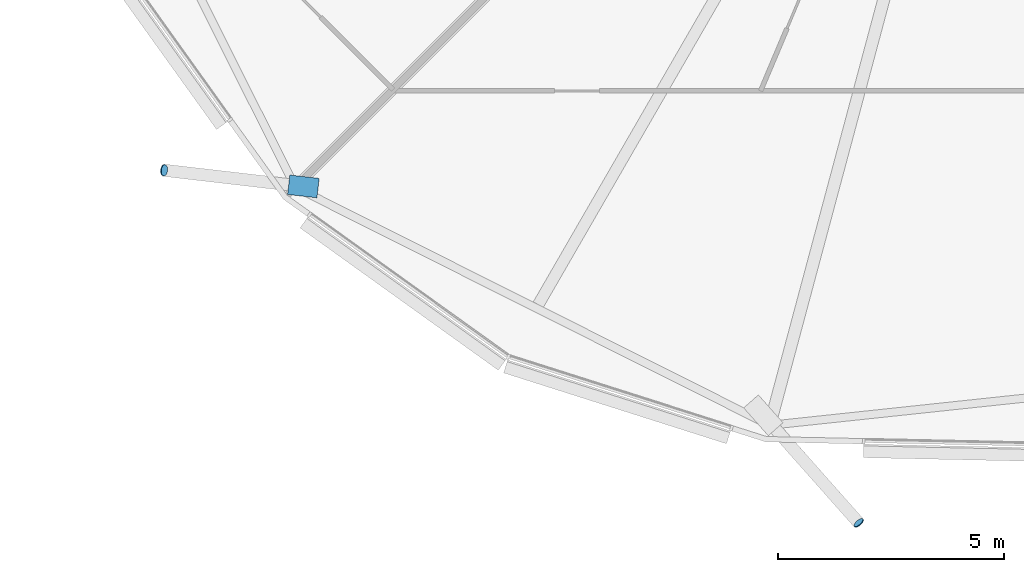
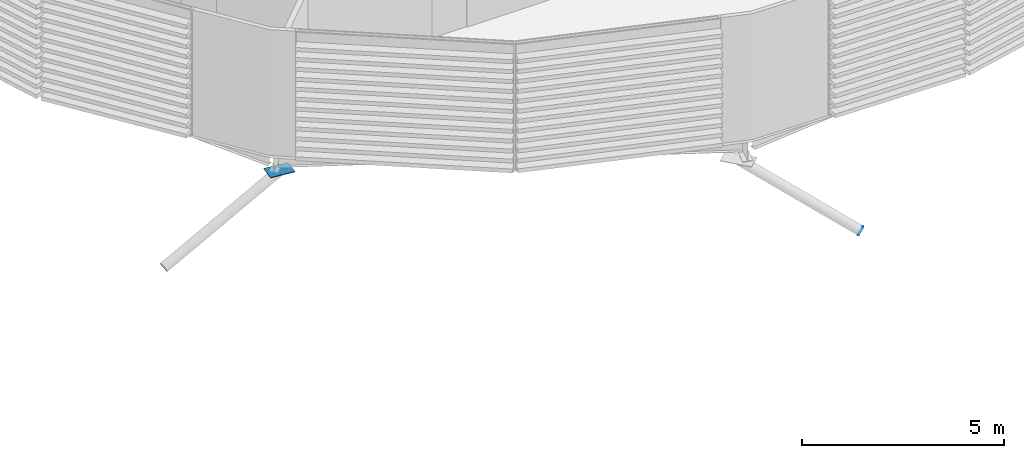
# One storey, part 31 of 39: 3 discrete accessories.
"""IFC4 building model written with IfcOpenShell, lengths in metres."""

from ifc_helpers import new_model, si_unit, direction, frame, origin, origin_2d, place, context, subcontext, project, spatial, polyline, rectangle, circle, outline, extrude, material, material_profile, profile_set, type_object, element, save


model = new_model("IFC4")

# Units and contexts
model_context = context("Model", 3, precision=1e-05, world=origin(), true_north=direction((0.0, 1.0)))
body_context = subcontext(model_context, "Body", "Model", "MODEL_VIEW")
ifc_project = project(units=[si_unit("LENGTHUNIT", "METRE"), si_unit("AREAUNIT", "SQUARE_METRE"), si_unit("VOLUMEUNIT", "CUBIC_METRE"), si_unit("PLANEANGLEUNIT", "RADIAN"), si_unit("MASSUNIT", "GRAM", prefix="KILO")], contexts=[model_context])

# Site, building, storey
site_placement = place(None, origin())
site = spatial("IfcSite", under=ifc_project, at=site_placement, CompositionType="ELEMENT")
building_placement = place(site_placement, origin())
building = spatial("IfcBuilding", under=site, at=building_placement, Name="Rimbun Link Towers", CompositionType="ELEMENT")
storey_placement = place(building_placement, frame((0.0, 0.0, 112.0)))
storey = spatial("IfcBuildingStorey", under=building, at=storey_placement, Name="L27", CompositionType="ELEMENT", Elevation=112.0)

# Discrete accessories
ifc_material_1 = material(Name="Steel S355J2H", Category="steel")
ifc_material_profile_1 = material_profile(ifc_material_1, circle(Radius=0.1240234375, at=origin_2d()), Name="PL D248")
ifc_profile_set_1 = profile_set([ifc_material_profile_1], Name="Steel S355J2H")
discrete_accessory_type_1 = type_object("IfcDiscreteAccessoryType", Name="Link foot sealing plate D248X20", PredefinedType="BRACKET", material=ifc_profile_set_1)
for number, where, z_axis, x_axis, name in (
    (1, (12.56396484375, -15.908203125, -2.83251953125), (-0.829947438925, 0.097640875168, -0.549229922818), (-0.116841247567, -0.993150604323, 0.0), "Link foot sealing plate T2 L27 12"),
    (2, (27.940185546875, -23.714111328125, -2.38037109375), (0.60971076085, -0.682876052152, -0.402409102161), (0.745937661626, 0.666015769309, 0.0), "Link foot sealing plate T2 L27 14"),
):
    element("IfcDiscreteAccessory", number, at=place(storey_placement, frame(where, z_axis=z_axis, x_axis=x_axis)), inside=storey, type_object=discrete_accessory_type_1, Name=name, PredefinedType="BRACKET", context=body_context, shape_type="SweptSolid", body=[
        extrude(circle(Radius=0.1240234375, at=origin_2d()), origin(), (0.0, 0.0, 1.0), 0.02001953125),
    ])
ifc_material_2 = material(Name="Steel S355J2H", Category="steel")
ifc_material_profile_2 = material_profile(ifc_material_2, rectangle(XDim=0.43310546875, YDim=0.43310546875, at=origin_2d()), Name="PL 433x433")
ifc_profile_set_2 = profile_set([ifc_material_profile_2], Name="Steel S355J2H")
discrete_accessory_type_2 = type_object("IfcDiscreteAccessoryType", Name="Link head end plate 433X20", PredefinedType="BRACKET", material=ifc_profile_set_2)
discrete_accessory_placement = place(storey_placement, frame((0.0, 0.0, -0.78271484375)))
element("IfcDiscreteAccessory", 3, at=discrete_accessory_placement, inside=storey, type_object=discrete_accessory_type_2, Name="Link head end plate T2 L27 12", PredefinedType="BRACKET", context=body_context, shape_type="SweptSolid", body=[
    extrude(outline(polyline([(15.99267578125, -16.087890625), (15.342041015625, -16.012451171875), (15.292236328125, -16.4423828125), (15.942626953125, -16.51806640625), (15.99267578125, -16.087890625)])), origin(), (0.0, 0.0, 1.0), 0.02001953125),
])

save(model, "model.ifc")
